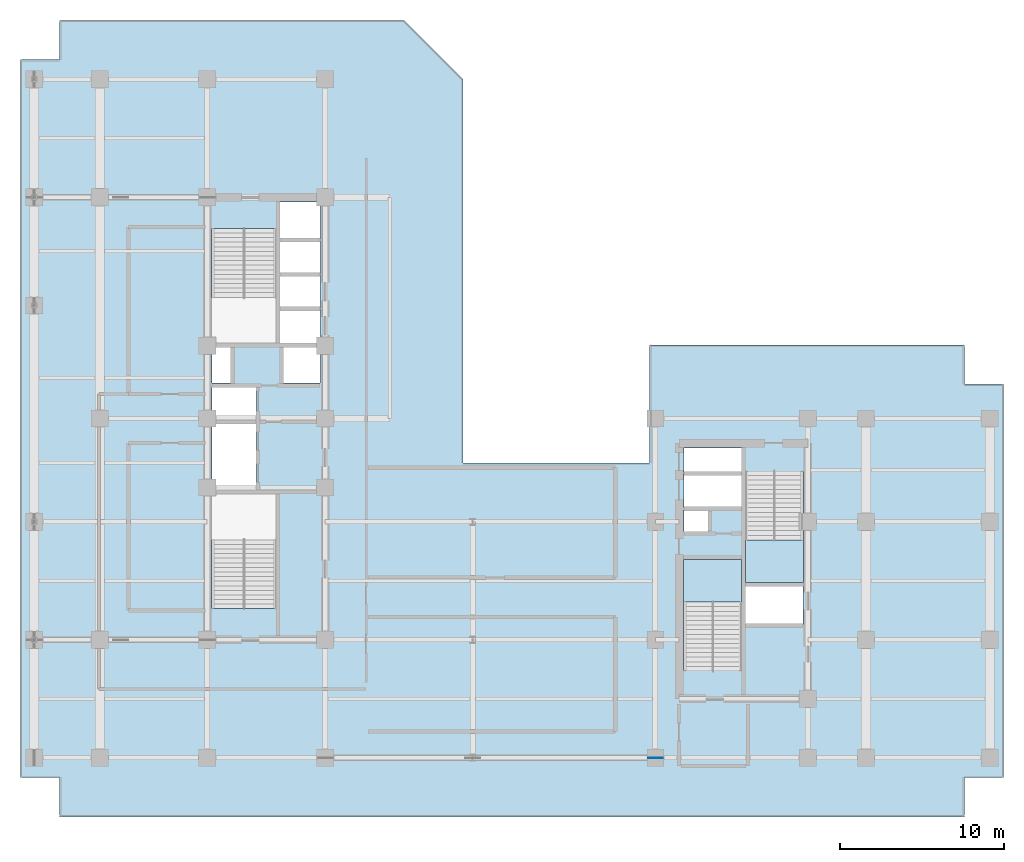
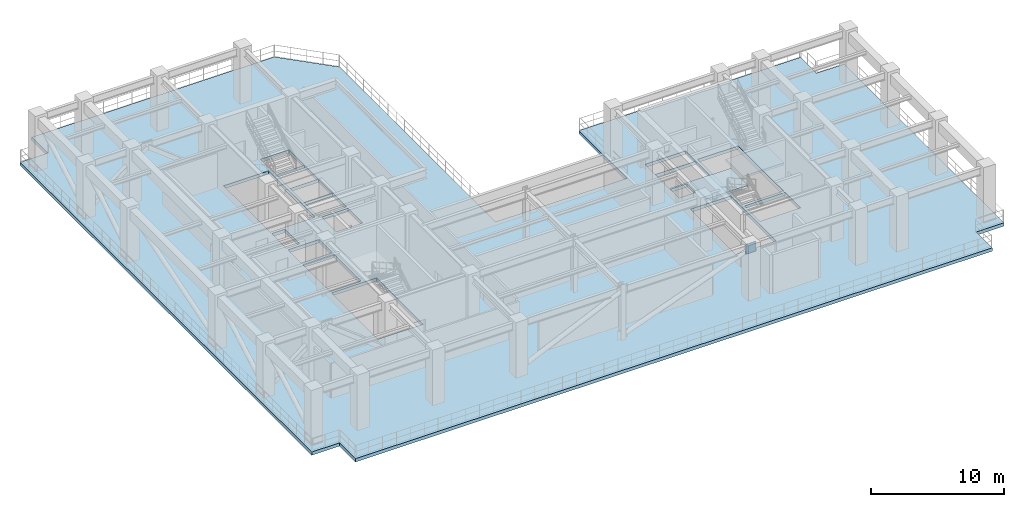
# One storey, part 5 of 16: 3 slabs, 1 plate, 2 elements without a shape of their own.
"""IFC4 building model written with IfcOpenShell, lengths in metres."""

from ifc_helpers import new_model, entity, si_unit, converted_unit, direction, frame, origin_with_axes, origin_2d_with_axis, place, context, subcontext, project, spatial, polyline, rectangle, outline, extrude, material, layer, layer_set, type_object, element, aggregate, save


model = new_model("IFC4")

# Units and contexts
model_context = context("Model", 3, precision=1e-05, world=origin_with_axes(), true_north=direction((0.0, 1.0)))
body_context = subcontext(model_context, "Body", "Model", "MODEL_VIEW")
ifc_project = project(units=[si_unit("LENGTHUNIT", "METRE"), si_unit("AREAUNIT", "SQUARE_METRE"), si_unit("VOLUMEUNIT", "CUBIC_METRE"), converted_unit("PLANEANGLEUNIT", "DEGREE", entity("IfcPlaneAngleMeasure", 0.017453292519943295), si_unit("PLANEANGLEUNIT", "RADIAN"), dimensions=[0, 0, 0, 0, 0, 0, 0]), si_unit("MASSUNIT", "GRAM", prefix="KILO"), si_unit("THERMODYNAMICTEMPERATUREUNIT", "KELVIN")], contexts=[model_context])

# Site, building, storey
site_placement = place(None, origin_with_axes())
site = spatial("IfcSite", under=ifc_project, at=site_placement, CompositionType="ELEMENT")
building_placement = place(site_placement, origin_with_axes())
building = spatial("IfcBuilding", under=site, at=building_placement, Name="Varnlund Millrace Tower", CompositionType="ELEMENT")
storey_placement = place(building_placement, frame((0.0, 0.0, 187.5), z_axis=(0.0, 0.0, 1.0), x_axis=(1.0, 0.0, 0.0)))
storey = spatial("IfcBuildingStorey", under=building, at=storey_placement, Name="L46", CompositionType="ELEMENT", Elevation=187.5)

# Slab
ifc_material_1 = material(Name="Concrete C70/85", Category="concrete")
ifc_layer_1 = layer(ifc_material_1, 0.3, Name="Concrete C70/85")
ifc_layer_set_1 = layer_set([ifc_layer_1], Name="Concrete C70/85")
slab_type_1 = type_object("IfcSlabType", Name="Type-Deck-Plate-Transfer-300", PredefinedType="FLOOR", material=ifc_layer_set_1)
slab_1_placement = place(storey_placement, frame((0.0, 0.0, -0.3), z_axis=(0.0, 0.0, 1.0), x_axis=(1.0, 0.0, 0.0)))
element("IfcSlab", 1, at=slab_1_placement, inside=storey, type_object=slab_type_1, Name="Type-Deck-Plate-Transfer-300", PredefinedType="FLOOR", context=body_context, shape_type="SweptSolid", body=[
    extrude(outline(polyline([(27.02, 21.6), (27.02, 45.0), (23.42, 48.6), (2.4, 48.6), (2.4, 46.2), (0.0, 46.2), (0.0, 2.4), (2.4, 2.4), (2.4, 0.0), (57.6, 0.0), (57.6, 2.4), (60.0, 2.4), (60.0, 26.4), (57.6, 26.4), (57.6, 28.8), (38.4, 28.8), (38.4, 21.6), (27.02, 21.6)]), holes=[polyline([(15.6, 12.715), (11.7, 12.715), (11.7, 19.7), (15.6, 19.7), (15.6, 12.715)]), polyline([(14.38, 23.98), (14.38, 19.94), (11.7, 19.94), (11.7, 23.98), (14.38, 23.98)]), polyline([(14.38, 24.24), (11.7, 24.24), (11.7, 26.2), (14.38, 26.2), (14.38, 24.24)]), polyline([(12.84, 26.46), (11.7, 26.46), (11.7, 28.65), (12.84, 28.65), (12.84, 26.46)]), polyline([(18.3, 28.9), (15.84, 28.9), (15.84, 30.98), (18.3, 30.98), (18.3, 28.9)]), polyline([(18.3, 31.02), (15.84, 31.02), (15.84, 33.08), (18.3, 33.08), (18.3, 31.02)]), polyline([(15.6, 28.9), (11.7, 28.9), (11.7, 35.885), (15.6, 35.885), (15.6, 28.9)]), polyline([(18.3, 33.12), (15.84, 33.12), (15.84, 35.18), (18.3, 35.18), (18.3, 33.12)]), polyline([(44.0, 8.915), (40.5, 8.915), (40.5, 15.7), (44.0, 15.7), (44.0, 8.915)]), polyline([(47.75, 11.74), (44.25, 11.74), (44.25, 14.06), (47.75, 14.06), (47.75, 11.74)]), polyline([(47.75, 14.3), (44.25, 14.3), (44.25, 21.085), (47.75, 21.085), (47.75, 14.3)]), polyline([(41.95, 17.42), (40.5, 17.42), (40.5, 18.72), (41.95, 18.72), (41.95, 17.42)]), polyline([(44.0, 18.88), (40.5, 18.88), (40.5, 20.94), (44.0, 20.94), (44.0, 18.88)]), polyline([(44.0, 21.0), (40.5, 21.0), (40.5, 22.5), (44.0, 22.5), (44.0, 21.0)]), polyline([(16.04, 26.46), (16.04, 28.65), (18.3, 28.65), (18.3, 26.46), (16.04, 26.46)]), polyline([(15.84, 35.22), (15.84, 37.5), (18.3, 37.5), (18.3, 35.22), (15.84, 35.22)])]), origin_with_axes(), (0.0, 0.0, 1.0), 0.3),
])

# Plate
ifc_material_2 = material(Name="Steel ASTM A572 Grade 50", Category="steel")
ifc_layer_2 = layer(ifc_material_2, 0.04, Name="Steel ASTM A572 Grade 50")
ifc_layer_set_2 = layer_set([ifc_layer_2], Name="Steel ASTM A572 Grade 50")
plate_type = type_object("IfcPlateType", Name="Type-Gusset-Plate-900X900X40", PredefinedType="SHEET", material=ifc_layer_set_2)
plate_placement = place(storey_placement, frame((38.75, 3.6, 4.0), z_axis=(0.0, 0.0, 1.0), x_axis=(1.0, 0.0, 0.0)))
element("IfcPlate", 2, at=plate_placement, inside=storey, type_object=plate_type, Name="Type-Gusset-Plate-900X900X40", PredefinedType="SHEET", context=body_context, shape_type="SweptSolid", body=[
    extrude(rectangle(XDim=0.9, YDim=0.04, at=origin_2d_with_axis()), origin_with_axes(), (0.0, 0.0, 1.0), 0.9),
])

# Stair, slab
ifc_material_3 = material(Name="Concrete C50/60", Category="concrete")
stair_type = type_object("IfcStairType", Name="Type-Stair-Dogleg-165-510", PredefinedType="HALF_TURN_STAIR", material=ifc_material_3)
stair_1_placement = place(storey_placement, origin_with_axes())
stair_1 = element("IfcStair", 3, at=stair_1_placement, inside=storey, type_object=stair_type, Name="Type-Stair-Dogleg-165-510", PredefinedType="HALF_TURN_STAIR")
ifc_layer_3 = layer(ifc_material_3, 0.2, Name="Concrete C50/60")
ifc_layer_set_3 = layer_set([ifc_layer_3], Name="Concrete C50/60")
slab_type_2 = type_object("IfcSlabType", Name="Type-StairLanding-200", PredefinedType="LANDING", material=ifc_layer_set_3)
slab_2_placement = place(storey_placement, frame((0.0, 0.0, 2.35), z_axis=(0.0, 0.0, 1.0), x_axis=(1.0, 0.0, 0.0)))
slab_2 = element("IfcSlab", 4, at=slab_2_placement, type_object=slab_type_2, Name="ST-B1 landing 1", PredefinedType="LANDING", context=body_context, shape_type="SweptSolid", body=[
    extrude(outline(polyline([(44.0, 13.1), (44.0, 15.7), (40.45, 15.7), (40.45, 13.1), (44.0, 13.1)])), origin_with_axes(), (0.0, 0.0, 1.0), 0.2),
])
aggregate(stair_1, [slab_2])

stair_2_placement = place(storey_placement, origin_with_axes())
stair_2 = element("IfcStair", 5, at=stair_2_placement, inside=storey, type_object=stair_type, Name="Type-Stair-Dogleg-165-510", PredefinedType="HALF_TURN_STAIR")
slab_3_placement = place(storey_placement, frame((0.0, 0.0, 2.35), z_axis=(0.0, 0.0, 1.0), x_axis=(1.0, 0.0, 0.0)))
slab_3 = element("IfcSlab", 6, at=slab_3_placement, type_object=slab_type_2, Name="ST-B2 landing 1", PredefinedType="LANDING", context=body_context, shape_type="SweptSolid", body=[
    extrude(outline(polyline([(44.25, 16.9), (44.25, 14.3), (47.8, 14.3), (47.8, 16.9), (44.25, 16.9)])), origin_with_axes(), (0.0, 0.0, 1.0), 0.2),
])
aggregate(stair_2, [slab_3])

save(model, "model.ifc")
